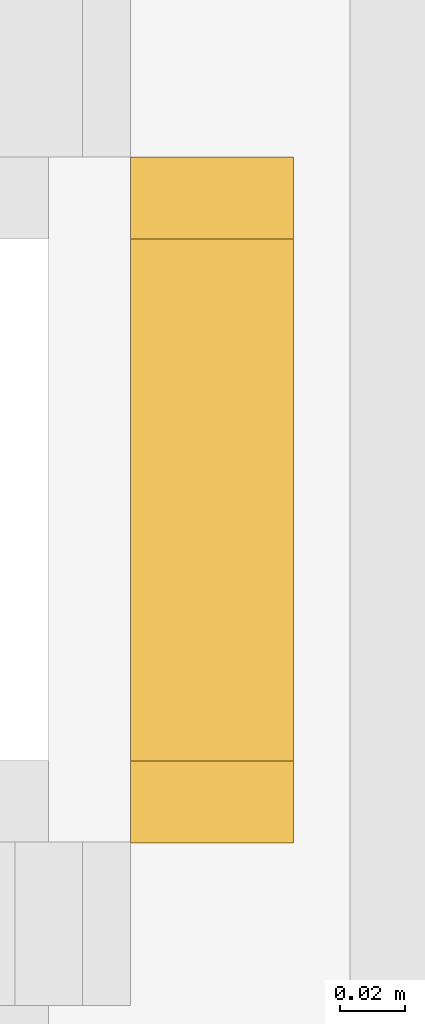
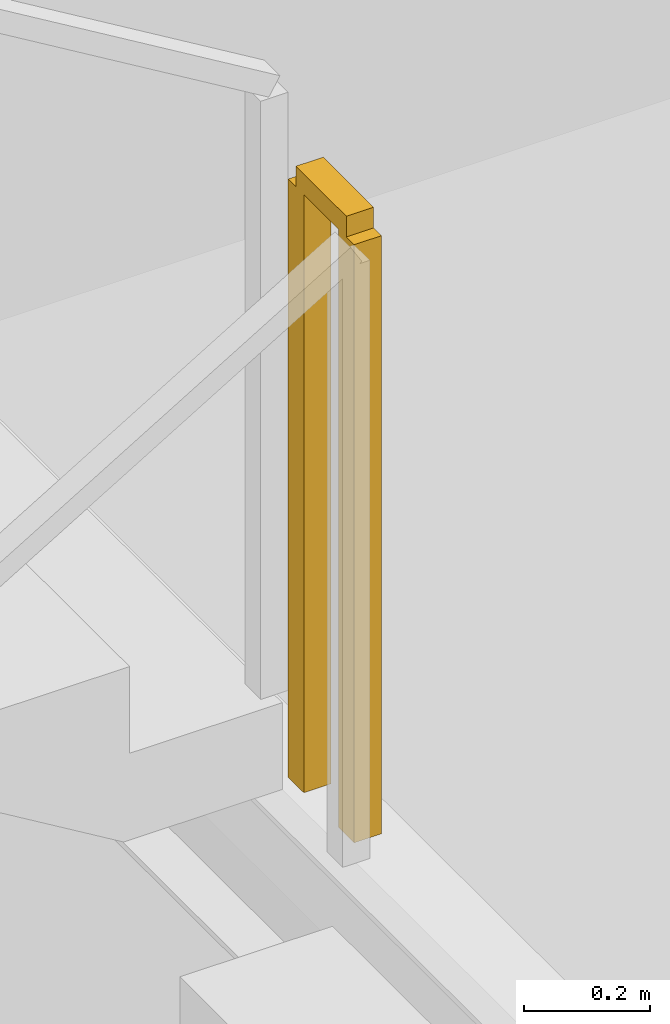
# One storey, part 19 of 19: 1 railing.
"""IFC4 building model written with IfcOpenShell, lengths in metres."""

from ifc_helpers import new_model, si_unit, direction, frame, origin, origin_2d, place, context, subcontext, project, spatial, rectangle, extrude, material, type_object, element, save


model = new_model("IFC4")

# Units and contexts
model_context = context("Model", 3, precision=1e-05, world=origin(), true_north=direction((0.0, 1.0)))
body_context = subcontext(model_context, "Body", "Model", "MODEL_VIEW")
ifc_project = project(units=[si_unit("LENGTHUNIT", "METRE"), si_unit("AREAUNIT", "SQUARE_METRE"), si_unit("VOLUMEUNIT", "CUBIC_METRE"), si_unit("PLANEANGLEUNIT", "RADIAN"), si_unit("MASSUNIT", "GRAM", prefix="KILO")], contexts=[model_context])

# Site, building, storey
site_placement = place(None, origin())
site = spatial("IfcSite", under=ifc_project, at=site_placement, CompositionType="ELEMENT")
building_placement = place(site_placement, origin())
building = spatial("IfcBuilding", under=site, at=building_placement, Name="Qianvela Tower", CompositionType="ELEMENT")
storey_placement = place(building_placement, frame((0.0, 0.0, 261.199951171875)))
storey = spatial("IfcBuildingStorey", under=building, at=storey_placement, Name="L67", CompositionType="ELEMENT", Elevation=261.199951171875)

# Railing
ifc_material = material(Name="Painted Tubular Steel Q355B", Category="steel")
railing_type = type_object("IfcRailingType", Name="RL-STAIR-GUARD-1200", PredefinedType="GUARDRAIL", material=ifc_material)
railing_placement = place(storey_placement, frame((35.050048828125, 30.889892578125, 1.85009765625)))
element("IfcRailing", 1, at=railing_placement, inside=storey, type_object=railing_type, Name="L67 ST-1 stair guard 2", PredefinedType="GUARDRAIL", context=body_context, shape_type="SweptSolid", body=[
    extrude(rectangle(XDim=0.050048828125, YDim=0.0400390625, at=origin_2d()), frame((0.0, 0.0, 1.179931640625), z_axis=(0.0, 1.0, 0.0), x_axis=(-1.0, 0.0, 0.0)), (0.0, 0.0, 1.0), 0.16015625),
    extrude(rectangle(XDim=0.050048828125, YDim=0.050048828125, at=origin_2d()), origin(), (0.0, 0.0, 1.0), 1.159912109375),
    extrude(rectangle(XDim=0.050048828125, YDim=0.050048828125, at=origin_2d()), frame((0.0, 0.16015625, 0.0)), (0.0, 0.0, 1.0), 1.159912109375),
])

save(model, "model.ifc")
